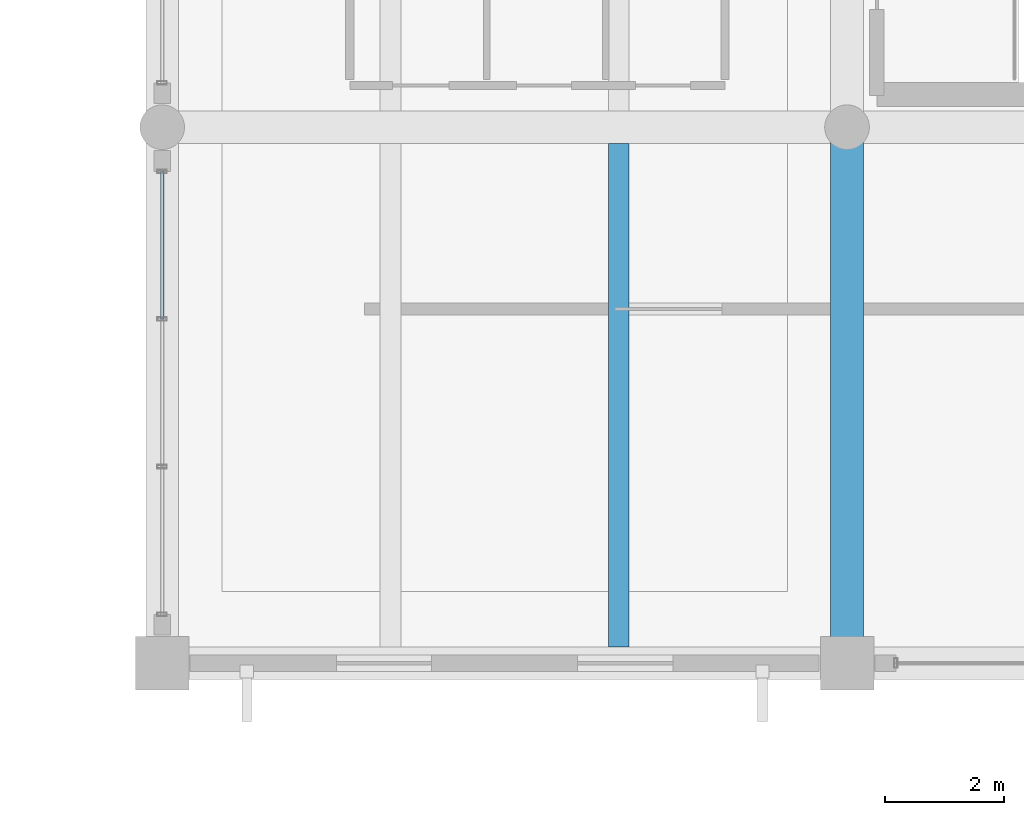
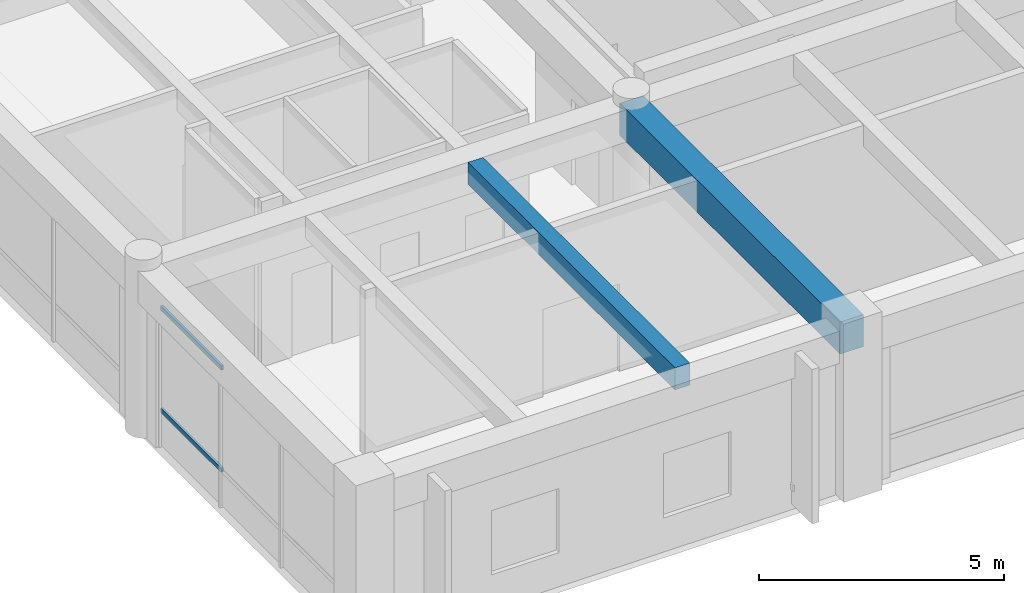
# One storey, part 4 of 27: 2 beams, 2 members, 1 element without a shape of its own.
"""IFC4 building model written with IfcOpenShell, lengths in metres."""

from ifc_helpers import new_model, si_unit, direction, frame, origin, origin_2d, place, context, subcontext, project, spatial, rectangle, hollow_rectangle, extrude, material, material_profile, profile_set, type_object, element, aggregate, save


model = new_model("IFC4")

# Units and contexts
model_context = context("Model", 3, precision=1e-05, world=origin(), true_north=direction((0.0, 1.0)))
body_context = subcontext(model_context, "Body", "Model", "MODEL_VIEW")
ifc_project = project(units=[si_unit("LENGTHUNIT", "METRE"), si_unit("AREAUNIT", "SQUARE_METRE"), si_unit("VOLUMEUNIT", "CUBIC_METRE"), si_unit("PLANEANGLEUNIT", "RADIAN"), si_unit("MASSUNIT", "GRAM", prefix="KILO")], contexts=[model_context])

# Site, building, storey
site_placement = place(None, origin())
site = spatial("IfcSite", under=ifc_project, at=site_placement, CompositionType="ELEMENT")
building_placement = place(site_placement, origin())
building = spatial("IfcBuilding", under=site, at=building_placement, Name="Ologun Quay Terminus", CompositionType="ELEMENT")
storey_placement = place(building_placement, frame((0.0, 0.0, 22.4599609375)))
storey = spatial("IfcBuildingStorey", under=building, at=storey_placement, Name="L05", CompositionType="ELEMENT", Elevation=22.4599609375)

# Curtain wall, members
ifc_material_1 = material(Name="Aluminium 6063-T6", Category="aluminium")
curtain_wall_type = type_object("IfcCurtainWallType", Name="Operations Wing Canteen Curtain Wall L05 10600x4050", PredefinedType="USERDEFINED", material=ifc_material_1)
curtain_wall_placement = place(storey_placement, origin())
curtain_wall = element("IfcCurtainWall", 1, at=curtain_wall_placement, inside=storey, type_object=curtain_wall_type, Name="CW-28 Curtain Wall CW-L05-156", ObjectType="UNITISED CURTAIN WALL", PredefinedType="USERDEFINED")
ifc_material_2 = material(Name="Aluminium 6063-T6", Category="aluminium")
ifc_material_profile_1 = material_profile(ifc_material_2, hollow_rectangle(XDim=0.054931640625, YDim=0.110107421875, WallThickness=0.00390625, at=origin_2d()), Name="ALU 110x55x4")
ifc_profile_set_1 = profile_set([ifc_material_profile_1], Name="Aluminium 6063-T6")
member_type = type_object("IfcMemberType", Name="Courtyard Screen Transom 110x55", PredefinedType="USERDEFINED", material=ifc_profile_set_1)
member_1_placement = place(storey_placement, frame((115.0, 91.57666015625, 0.900146484375), z_axis=(0.0, 1.0, 0.0), x_axis=(-1.0, 0.0, 0.0)))
member_1 = element("IfcMember", 2, at=member_1_placement, type_object=member_type, Name="CW-L05-156 Transom B3-1", ObjectType="TRANSOM", PredefinedType="USERDEFINED", context=body_context, shape_type="SweptSolid", body=[
    extrude(hollow_rectangle(XDim=0.054931640625, YDim=0.110107421875, WallThickness=0.00390625, at=origin_2d()), origin(), (0.0, 0.0, 1.0), 2.478271484375),
])
member_2_placement = place(storey_placement, frame((115.0, 91.57666015625, 3.449951171875), z_axis=(0.0, 1.0, 0.0), x_axis=(-1.0, 0.0, 0.0)))
member_2 = element("IfcMember", 3, at=member_2_placement, type_object=member_type, Name="CW-L05-156 Transom B3-2", ObjectType="TRANSOM", PredefinedType="USERDEFINED", context=body_context, shape_type="SweptSolid", body=[
    extrude(hollow_rectangle(XDim=0.054931640625, YDim=0.110107421875, WallThickness=0.00390625, at=origin_2d()), origin(), (0.0, 0.0, 1.0), 2.478271484375),
])
aggregate(curtain_wall, [member_1, member_2])

# Beams
ifc_material_3 = material(Name="Concrete C40/50", Category="concrete")
ifc_material_profile_2 = material_profile(ifc_material_3, rectangle(XDim=0.550048828125, YDim=0.800048828125, at=origin_2d()), Name="RC 550x800")
ifc_profile_set_2 = profile_set([ifc_material_profile_2], Name="Concrete C40/50")
beam_type_1 = type_object("IfcBeamType", Name="Courtyard Wing Primary Girder 550x800", PredefinedType="BEAM", material=ifc_profile_set_2)
beam_1_placement = place(storey_placement, frame((126.5, 85.800048828125, 3.760009765625), z_axis=(0.0, 1.0, 0.0), x_axis=(-1.0, 0.0, 0.0)))
element("IfcBeam", 4, at=beam_1_placement, inside=storey, type_object=beam_type_1, Name="B4 Beam 12/G2 L05", PredefinedType="BEAM", context=body_context, shape_type="SweptSolid", body=[
    extrude(rectangle(XDim=0.550048828125, YDim=0.800048828125, at=origin_2d()), origin(), (0.0, 0.0, 1.0), 9.0),
])
ifc_material_4 = material(Name="Concrete C40/50", Category="concrete")
ifc_material_profile_3 = material_profile(ifc_material_4, rectangle(XDim=0.35009765625, YDim=0.550048828125, at=origin_2d()), Name="RC 350x550")
ifc_profile_set_3 = profile_set([ifc_material_profile_3], Name="Concrete C40/50")
beam_type_2 = type_object("IfcBeamType", Name="Courtyard Wing Secondary Joist 350x550", PredefinedType="JOIST", material=ifc_profile_set_3)
beam_2_placement = place(storey_placement, frame((122.666748046875, 86.074951171875, 3.885009765625), z_axis=(0.0, 1.0, 0.0), x_axis=(-1.0, 0.0, 0.0)))
element("IfcBeam", 5, at=beam_2_placement, inside=storey, type_object=beam_type_2, Name="J2 Beam 11/G2 L05", PredefinedType="JOIST", context=body_context, shape_type="SweptSolid", body=[
    extrude(rectangle(XDim=0.35009765625, YDim=0.550048828125, at=origin_2d()), origin(), (0.0, 0.0, 1.0), 8.449951171875),
])

save(model, "model.ifc")
